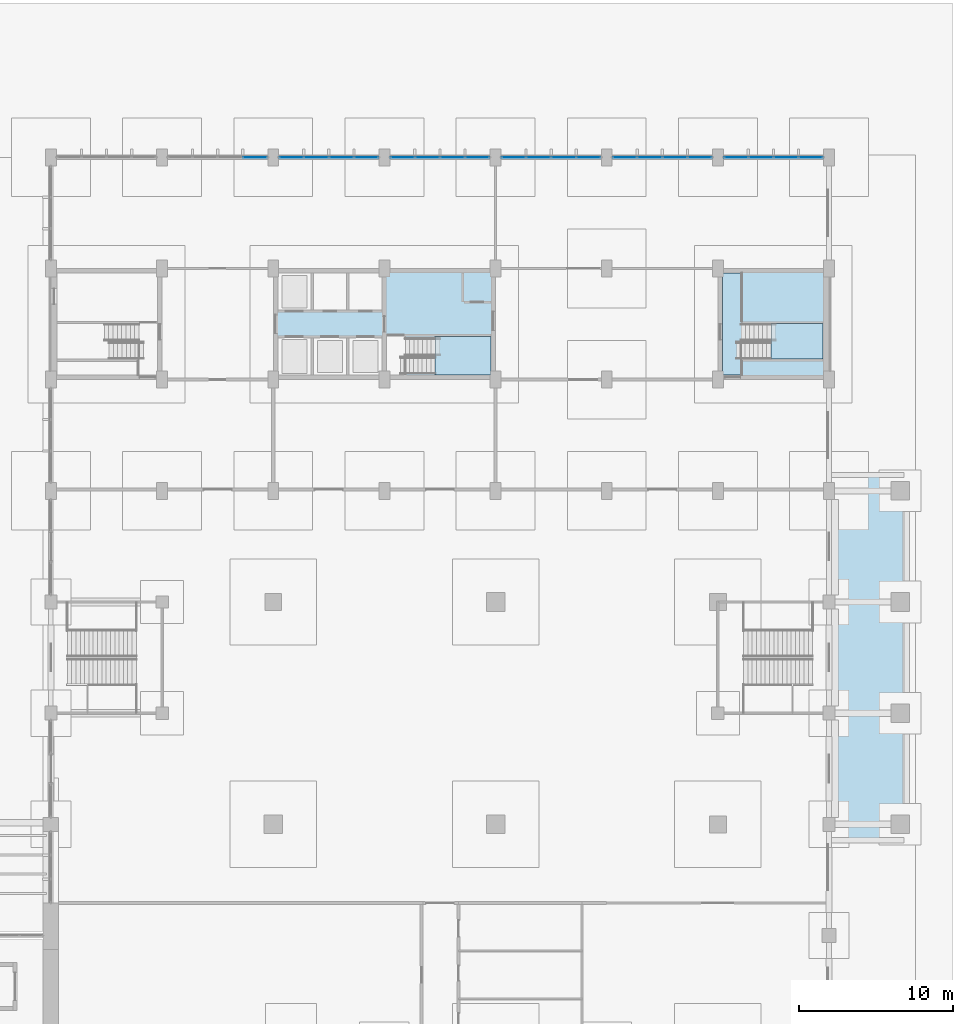
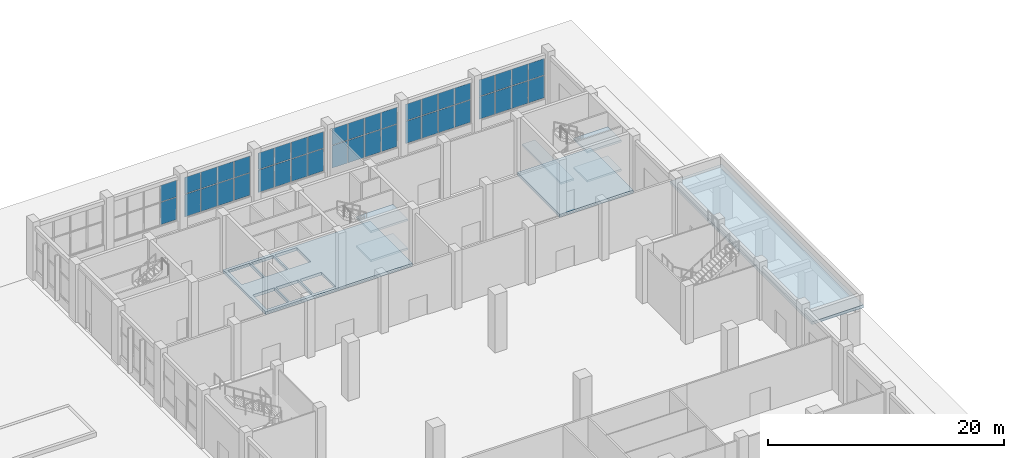
# One storey, part 37 of 70: 42 plates, 8 slabs, 8 elements without a shape of their own.
"""IFC4 building model written with IfcOpenShell, lengths in metres."""

import ifcopenshell
import ifcopenshell.guid

model = None  # the IFC model being written
_history = None  # IfcOwnerHistory: only IFC2X3 demands one
_inside = {}  # id of a spatial element -> (the spatial element, [elements in it])
_under = {}  # id of a project, library or spatial element -> (it, [spatial elements below it])
_declared = {}  # id of a project -> (the project, [libraries it declares])
_typed = {}  # id of a type object -> (the type object, [elements of that type])
_made_of = {}  # id of a material, layer set ... -> (it, [elements and type objects made of it])


def new_model(schema):
    """Start an empty IFC model of exactly this schema.

    Asked for "IFC4X3", IfcOpenShell would pick the latest addendum, in which some entities
    have other attributes; the version numbers below select the first issue.
    IFC2X3 requires an IfcOwnerHistory on every rooted entity: one is made here for all.
    """
    global model, _history
    if schema == "IFC4X3":
        model = ifcopenshell.file(schema_version=(4, 3, 0, 0))
    else:
        model = ifcopenshell.file(schema=schema)
    _inside.clear()
    _under.clear()
    _declared.clear()
    _typed.clear()
    _made_of.clear()
    _history = None
    if model.schema == "IFC2X3":
        org = make("IfcOrganization", Name="unknown")
        user = make(
            "IfcPersonAndOrganization",
            ThePerson=make("IfcPerson", FamilyName="unknown"),
            TheOrganization=org,
        )
        app = make(
            "IfcApplication",
            ApplicationDeveloper=org,
            Version="unknown",
            ApplicationFullName="unknown",
            ApplicationIdentifier="unknown",
        )
        _history = make(
            "IfcOwnerHistory",
            OwningUser=user,
            OwningApplication=app,
            ChangeAction="ADDED",
            CreationDate=0,
        )
    return model


def make(cls, **values):
    """One entity of the class cls with the attributes given. An attribute that is None is left unset."""
    return model.create_entity(
        cls, **{name: value for name, value in values.items() if value is not None}
    )


def rooted(cls, **values):
    """An entity with a GlobalId (a new one), such as an element, a storey or a relation."""
    return make(cls, GlobalId=ifcopenshell.guid.new(), OwnerHistory=_history, **values)


def si_unit(unit_type, name, prefix=None):
    """IfcSIUnit, for example si_unit("LENGTHUNIT", "METRE", prefix="MILLI")."""
    return make("IfcSIUnit", UnitType=unit_type, Prefix=prefix, Name=name)


def assignment(units):
    """IfcUnitAssignment: the units of a project."""
    return None if units is None else make("IfcUnitAssignment", Units=units)


def point(xyz):
    """IfcCartesianPoint."""
    return None if xyz is None else make("IfcCartesianPoint", Coordinates=xyz)


def direction(xyz):
    """IfcDirection."""
    return None if xyz is None else make("IfcDirection", DirectionRatios=xyz)


def frame(location, z_axis=None, x_axis=None):
    """IfcAxis2Placement3D, a coordinate frame: its origin and axes. An axis left out is left unset."""
    return make(
        "IfcAxis2Placement3D",
        Location=point(location),
        Axis=direction(z_axis),
        RefDirection=direction(x_axis),
    )


def frame_2d(location, x_axis=None):
    """IfcAxis2Placement2D, a coordinate frame in the plane: its origin and x axis."""
    return make(
        "IfcAxis2Placement2D", Location=point(location), RefDirection=direction(x_axis)
    )


def origin():
    """The frame at (0, 0, 0) with its axes left unset."""
    return frame((0.0, 0.0, 0.0))


def origin_2d():
    """The frame at (0, 0) in the plane with its x axis left unset."""
    return frame_2d((0.0, 0.0))


def place(relative_to, where):
    """IfcLocalPlacement: puts the frame where relative to a parent placement (None: the world)."""
    return make(
        "IfcLocalPlacement", PlacementRelTo=relative_to, RelativePlacement=where
    )


def context(
    kind, dimensions, precision=None, world=None, true_north=None, identifier=None
):
    """IfcGeometricRepresentationContext, for example the 3D "Model" context."""
    return make(
        "IfcGeometricRepresentationContext",
        ContextIdentifier=identifier,
        ContextType=kind,
        CoordinateSpaceDimension=dimensions,
        Precision=precision,
        WorldCoordinateSystem=world,
        TrueNorth=true_north,
    )


def subcontext(parent, identifier, kind, view, scale=None):
    """IfcGeometricRepresentationSubContext, for example "Body" below "Model"."""
    return make(
        "IfcGeometricRepresentationSubContext",
        ContextIdentifier=identifier,
        ContextType=kind,
        ParentContext=parent,
        TargetScale=scale,
        TargetView=view,
    )


def project(units=None, contexts=None):
    """IfcProject with its units and contexts."""
    return rooted(
        "IfcProject",
        Name="project",
        RepresentationContexts=contexts,
        UnitsInContext=assignment(units),
    )


def spatial(cls, under=None, at=None, **own):
    """A site, building, storey or space (cls), placed at a placement, below another one or the project."""
    s = rooted(cls, ObjectPlacement=at, **own)
    if under is not None:
        _under.setdefault(under.id(), (under, []))[1].append(s)
    return s


def polyline(points):
    """IfcPolyline through the points."""
    return make("IfcPolyline", Points=[point(p) for p in points])


def profile(cls, at=None, kind="AREA", **sizes):
    """A parametric profile (cls). Its sizes go by their IFC names, for example OverallWidth=200.0."""
    return make(cls, ProfileType=kind, Position=at, **sizes)


def rectangle(**sizes):
    """IfcRectangleProfileDef."""
    return profile("IfcRectangleProfileDef", **sizes)


def outline(outer, holes=None, kind="AREA"):
    """IfcArbitraryClosedProfileDef: a profile drawn as a closed curve; with holes, ...WithVoids."""
    if holes is None:
        return make("IfcArbitraryClosedProfileDef", ProfileType=kind, OuterCurve=outer)
    return make(
        "IfcArbitraryProfileDefWithVoids",
        ProfileType=kind,
        OuterCurve=outer,
        InnerCurves=holes,
    )


def extrude(swept, where, along, depth):
    """IfcExtrudedAreaSolid: the profile swept, set in the frame where, extruded along a direction by depth."""
    return make(
        "IfcExtrudedAreaSolid",
        SweptArea=swept,
        Position=where,
        ExtrudedDirection=direction(along),
        Depth=depth,
    )


def shape(context_of_items, identifier, shape_type, items):
    """IfcShapeRepresentation: the items that make up one representation, for example the "Body"."""
    return make(
        "IfcShapeRepresentation",
        ContextOfItems=context_of_items,
        RepresentationIdentifier=identifier,
        RepresentationType=shape_type,
        Items=items,
    )


def material(Name=None, Category=None):
    """IfcMaterial."""
    return make("IfcMaterial", Name=Name, Category=Category)


def layer(
    of_material, thickness, ventilated=None, Name=None, Category=None, Priority=None
):
    """IfcMaterialLayer: one layer of a wall or slab, of a material (None: an air gap)."""
    return make(
        "IfcMaterialLayer",
        Material=of_material,
        LayerThickness=thickness,
        IsVentilated=ventilated,
        Name=Name,
        Category=Category,
        Priority=Priority,
    )


def layer_set(layers, Name=None):
    """IfcMaterialLayerSet."""
    return make("IfcMaterialLayerSet", MaterialLayers=layers, LayerSetName=Name)


def made_of(thing, what):
    """Note that an element or type object is made of a material, layer set ...; save() writes the relation."""
    if what is not None:
        _made_of.setdefault(what.id(), (what, []))[1].append(thing)
    return thing


def type_object(cls, material=None, **own):
    """A type object (cls), such as IfcWallType, which elements share."""
    return made_of(rooted(cls, **own), material)


def element(
    cls,
    number,
    at=None,
    inside=None,
    cuts=None,
    type_object=None,
    material=None,
    context=None,
    identifier="Body",
    shape_type=None,
    held_by="IfcProductDefinitionShape",
    body=None,
    shapes=None,
    **own,
):
    """One element of the class cls, such as IfcWall. Its Tag is "e" and its number.

    at: its placement. inside: the storey or other place that contains it. cuts: it is an
    opening in that element (IfcRelVoidsElement). A single representation is given by context,
    identifier, shape_type and body (its items); several are given by shapes. held_by: the class
    of the entity that holds the representations. save() writes the other relations.
    """
    e = rooted(cls, Tag="e%d" % number, ObjectPlacement=at, **own)
    if body is not None:
        shapes = [shape(context, identifier, shape_type, body)]
    if shapes is not None:
        e.Representation = make(held_by, Representations=shapes)
    if inside is not None:
        _inside.setdefault(inside.id(), (inside, []))[1].append(e)
    if cuts is not None:
        rooted(
            "IfcRelVoidsElement", RelatingBuildingElement=cuts, RelatedOpeningElement=e
        )
    if type_object is not None:
        _typed.setdefault(type_object.id(), (type_object, []))[1].append(e)
    return made_of(e, material)


def aggregate(whole, parts):
    """IfcRelAggregates: a whole, such as a stair, and the parts it consists of."""
    return rooted("IfcRelAggregates", RelatingObject=whole, RelatedObjects=parts)


def save(model, path):
    """Write the relations noted so far, then the file.

    IfcRelAggregates (storeys below a building ...), IfcRelContainedInSpatialStructure (elements
    in a storey), IfcRelDefinesByType, IfcRelAssociatesMaterial and IfcRelDeclares: one each for
    every whole, place, type object, material and project.
    """
    for whole, parts in _under.values():
        aggregate(whole, parts)
    for where, things in _inside.values():
        rooted(
            "IfcRelContainedInSpatialStructure",
            RelatedElements=things,
            RelatingStructure=where,
        )
    for kind, things in _typed.values():
        rooted("IfcRelDefinesByType", RelatedObjects=things, RelatingType=kind)
    for what, things in _made_of.values():
        rooted("IfcRelAssociatesMaterial", RelatedObjects=things, RelatingMaterial=what)
    for by, libraries in _declared.values():
        rooted("IfcRelDeclares", RelatingContext=by, RelatedDefinitions=libraries)
    model.write(path)


model = new_model("IFC4")

# Units and contexts
model_context = context("Model", 3, precision=1e-05, world=origin(), true_north=direction((0.0, 1.0)))
body_context = subcontext(model_context, "Body", "Model", "MODEL_VIEW")
ifc_project = project(units=[si_unit("LENGTHUNIT", "METRE"), si_unit("AREAUNIT", "SQUARE_METRE"), si_unit("VOLUMEUNIT", "CUBIC_METRE"), si_unit("PLANEANGLEUNIT", "RADIAN"), si_unit("MASSUNIT", "GRAM", prefix="KILO")], contexts=[model_context])

# Site, building, storey
site_placement = place(None, origin())
site = spatial("IfcSite", under=ifc_project, at=site_placement, CompositionType="ELEMENT")
building_placement = place(site_placement, origin())
building = spatial("IfcBuilding", under=site, at=building_placement, Name="Vermilion Court Aquatics Centre", CompositionType="ELEMENT")
storey_placement = place(building_placement, origin())
storey = spatial("IfcBuildingStorey", under=building, at=storey_placement, Name="L00", CompositionType="ELEMENT", Elevation=0.0)

# Slabs
ifc_material_1 = material(Name="Concrete 5000 psi", Category="concrete")
ifc_layer_1 = layer(ifc_material_1, 0.300048828125)
ifc_layer_set_1 = layer_set([ifc_layer_1], Name="North block ground slab 300")
slab_type_1 = type_object("IfcSlabType", Name="North block ground slab 300", PredefinedType="BASESLAB", material=ifc_layer_set_1)
slab_1_placement = place(storey_placement, frame((0.0, 0.0, -0.300048828125)))
element("IfcSlab", 1, at=slab_1_placement, inside=storey, type_object=slab_type_1, Name="Core floor L00", PredefinedType="BASESLAB", context=body_context, shape_type="SweptSolid", body=[
    extrude(outline(polyline([(158.39990234375, 100.800048828125), (172.800048828125, 100.800048828125), (172.800048828125, 108.0), (158.39990234375, 108.0), (158.39990234375, 100.800048828125)]), holes=[polyline([(158.699951171875, 101.10009765625), (160.85009765625, 101.10009765625), (160.85009765625, 103.5), (158.699951171875, 103.5), (158.699951171875, 101.10009765625)]), polyline([(158.699951171875, 105.300048828125), (160.85009765625, 105.300048828125), (160.85009765625, 107.699951171875), (158.699951171875, 107.699951171875), (158.699951171875, 105.300048828125)]), polyline([(161.0, 101.10009765625), (163.14990234375, 101.10009765625), (163.14990234375, 103.5), (161.0, 103.5), (161.0, 101.10009765625)]), polyline([(161.0, 105.300048828125), (163.14990234375, 105.300048828125), (163.14990234375, 107.699951171875), (161.0, 107.699951171875), (161.0, 105.300048828125)]), polyline([(163.300048828125, 101.10009765625), (165.449951171875, 101.10009765625), (165.449951171875, 103.5), (163.300048828125, 103.5), (163.300048828125, 101.10009765625)]), polyline([(163.300048828125, 105.300048828125), (165.449951171875, 105.300048828125), (165.449951171875, 107.699951171875), (163.300048828125, 107.699951171875), (163.300048828125, 105.300048828125)])]), origin(), (0.0, 0.0, 1.0), 0.300048828125),
])
slab_2_placement = place(storey_placement, frame((0.0, 0.0, -0.300048828125)))
element("IfcSlab", 2, at=slab_2_placement, inside=storey, type_object=slab_type_1, Name="Stair 2 floor L00", PredefinedType="BASESLAB", context=body_context, shape_type="SweptSolid", body=[
    extrude(outline(polyline([(187.199951171875, 100.800048828125), (194.39990234375, 100.800048828125), (194.39990234375, 108.0), (187.199951171875, 108.0), (187.199951171875, 100.800048828125)])), origin(), (0.0, 0.0, 1.0), 0.300048828125),
])

# Stair, slabs
ifc_material_2 = material(Name="Concrete 5000 psi", Category="concrete")
stair_type = type_object("IfcStairType", Name="North block exit stair 1130", PredefinedType="HALF_TURN_STAIR", material=ifc_material_2)
stair_1_placement = place(storey_placement, origin())
stair_1 = element("IfcStair", 3, at=stair_1_placement, inside=storey, type_object=stair_type, Name="Exit stair ST-T2 L00", PredefinedType="HALF_TURN_STAIR")
ifc_material_3 = material(Name="Concrete 5000 psi", Category="concrete")
ifc_layer_2 = layer(ifc_material_3, 0.199951171875)
ifc_layer_set_2 = layer_set([ifc_layer_2], Name="North block stair landing 200")
slab_type_2 = type_object("IfcSlabType", Name="North block stair landing 200", PredefinedType="LANDING", material=ifc_layer_set_2)
slab_3_placement = place(storey_placement, frame((0.0, 0.0, 1.300048828125)))
slab_3 = element("IfcSlab", 4, at=slab_3_placement, type_object=slab_type_2, Name="ST-T2 landing 1", PredefinedType="LANDING", context=body_context, shape_type="SweptSolid", body=[
    extrude(outline(polyline([(190.639892578125, 102.1298828125), (194.0, 102.1298828125), (194.0, 104.429931640625), (190.639892578125, 104.429931640625), (190.639892578125, 102.1298828125)])), origin(), (0.0, 0.0, 1.0), 0.199951171875),
])
slab_4_placement = place(storey_placement, frame((0.0, 0.0, 2.800048828125)))
slab_4 = element("IfcSlab", 5, at=slab_4_placement, type_object=slab_type_2, Name="ST-T2 landing 2", PredefinedType="LANDING", context=body_context, shape_type="SweptSolid", body=[
    extrude(outline(polyline([(187.5, 101.10009765625), (188.75, 101.10009765625), (188.75, 107.699951171875), (187.5, 107.699951171875), (187.5, 101.10009765625)])), origin(), (0.0, 0.0, 1.0), 0.199951171875),
])
slab_5_placement = place(storey_placement, frame((0.0, 0.0, 4.300048828125)))
slab_5 = element("IfcSlab", 6, at=slab_5_placement, type_object=slab_type_2, Name="ST-T2 landing 3", PredefinedType="LANDING", context=body_context, shape_type="SweptSolid", body=[
    extrude(outline(polyline([(190.639892578125, 102.1298828125), (194.0, 102.1298828125), (194.0, 104.429931640625), (190.639892578125, 104.429931640625), (190.639892578125, 102.1298828125)])), origin(), (0.0, 0.0, 1.0), 0.199951171875),
])
aggregate(stair_1, [slab_3, slab_4, slab_5])

stair_2_placement = place(storey_placement, origin())
stair_2 = element("IfcStair", 7, at=stair_2_placement, inside=storey, type_object=stair_type, Name="Exit stair ST-T3 L00", PredefinedType="HALF_TURN_STAIR")
slab_6_placement = place(storey_placement, frame((0.0, 0.0, 1.300048828125)))
slab_6 = element("IfcSlab", 8, at=slab_6_placement, type_object=slab_type_2, Name="ST-T3 landing 1", PredefinedType="LANDING", context=body_context, shape_type="SweptSolid", body=[
    extrude(outline(polyline([(168.889892578125, 101.10009765625), (172.5, 101.10009765625), (172.5, 103.60009765625), (168.889892578125, 103.60009765625), (168.889892578125, 101.10009765625)])), origin(), (0.0, 0.0, 1.0), 0.199951171875),
])
slab_7_placement = place(storey_placement, frame((0.0, 0.0, 4.300048828125)))
slab_7 = element("IfcSlab", 9, at=slab_7_placement, type_object=slab_type_2, Name="ST-T3 landing 3", PredefinedType="LANDING", context=body_context, shape_type="SweptSolid", body=[
    extrude(outline(polyline([(168.889892578125, 101.10009765625), (172.5, 101.10009765625), (172.5, 103.60009765625), (168.889892578125, 103.60009765625), (168.889892578125, 101.10009765625)])), origin(), (0.0, 0.0, 1.0), 0.199951171875),
])
aggregate(stair_2, [slab_6, slab_7])

# Curtain wall, plates
ifc_material_4 = material(Name="Aluminium 6063-T5", Category="aluminium")
ifc_layer_3 = layer(ifc_material_4, 0.14990234375)
ifc_layer_set_3 = layer_set([ifc_layer_3], Name="Podium curtain wall bay, 1800 module")
curtain_wall_type = type_object("IfcCurtainWallType", Name="Podium curtain wall bay, 1800 module", PredefinedType="NOTDEFINED", material=ifc_layer_set_3)
curtain_wall_1_placement = place(storey_placement, origin())
curtain_wall_1 = element("IfcCurtainWall", 10, at=curtain_wall_1_placement, inside=storey, type_object=curtain_wall_type, Name="Curtain wall L00", PredefinedType="NOTDEFINED")
ifc_material_5 = material(Name="Glazing", Category="glass")
ifc_layer_4 = layer(ifc_material_5, 0.028076171875)
ifc_layer_set_4 = layer_set([ifc_layer_4], Name="Podium curtain wall glass panel 28")
plate_type = type_object("IfcPlateType", Name="Podium curtain wall glass panel 28", PredefinedType="CURTAIN_PANEL", material=ifc_layer_set_4)
plate_1_placement = place(storey_placement, frame((157.222412109375, 115.199951171875, 0.9599609375), z_axis=(0.0, 0.0, 1.0), x_axis=(1.0, 0.0, 0.0)))
plate_1 = element("IfcPlate", 11, at=plate_1_placement, type_object=plate_type, Name="PG2 panel 4.1", PredefinedType="CURTAIN_PANEL", context=body_context, shape_type="SweptSolid", body=[
    extrude(rectangle(XDim=1.534912109375, YDim=0.028076171875, at=origin_2d()), origin(), (0.0, 0.0, 1.0), 2.31005859375),
])
plate_2_placement = place(storey_placement, frame((157.222412109375, 115.199951171875, 3.330078125), z_axis=(0.0, 0.0, 1.0), x_axis=(1.0, 0.0, 0.0)))
plate_2 = element("IfcPlate", 12, at=plate_2_placement, type_object=plate_type, Name="PG2 panel 4.2", PredefinedType="CURTAIN_PANEL", context=body_context, shape_type="SweptSolid", body=[
    extrude(rectangle(XDim=1.534912109375, YDim=0.028076171875, at=origin_2d()), origin(), (0.0, 0.0, 1.0), 1.7099609375),
])
aggregate(curtain_wall_1, [plate_1, plate_2])

curtain_wall_2_placement = place(storey_placement, origin())
curtain_wall_2 = element("IfcCurtainWall", 13, at=curtain_wall_2_placement, inside=storey, type_object=curtain_wall_type, Name="Curtain wall L00", PredefinedType="NOTDEFINED")
plate_3_placement = place(storey_placement, frame((159.577392578125, 115.199951171875, 0.9599609375), z_axis=(0.0, 0.0, 1.0), x_axis=(1.0, 0.0, 0.0)))
plate_3 = element("IfcPlate", 14, at=plate_3_placement, type_object=plate_type, Name="PG2 panel 1.1", PredefinedType="CURTAIN_PANEL", context=body_context, shape_type="SweptSolid", body=[
    extrude(rectangle(XDim=1.534912109375, YDim=0.028076171875, at=origin_2d()), origin(), (0.0, 0.0, 1.0), 2.31005859375),
])
plate_4_placement = place(storey_placement, frame((159.577392578125, 115.199951171875, 3.330078125), z_axis=(0.0, 0.0, 1.0), x_axis=(1.0, 0.0, 0.0)))
plate_4 = element("IfcPlate", 15, at=plate_4_placement, type_object=plate_type, Name="PG2 panel 1.2", PredefinedType="CURTAIN_PANEL", context=body_context, shape_type="SweptSolid", body=[
    extrude(rectangle(XDim=1.534912109375, YDim=0.028076171875, at=origin_2d()), origin(), (0.0, 0.0, 1.0), 1.7099609375),
])
plate_5_placement = place(storey_placement, frame((161.1875, 115.199951171875, 0.9599609375), z_axis=(0.0, 0.0, 1.0), x_axis=(1.0, 0.0, 0.0)))
plate_5 = element("IfcPlate", 16, at=plate_5_placement, type_object=plate_type, Name="PG2 panel 2.1", PredefinedType="CURTAIN_PANEL", context=body_context, shape_type="SweptSolid", body=[
    extrude(rectangle(XDim=1.56494140625, YDim=0.028076171875, at=origin_2d()), origin(), (0.0, 0.0, 1.0), 2.31005859375),
])
plate_6_placement = place(storey_placement, frame((161.1875, 115.199951171875, 3.330078125), z_axis=(0.0, 0.0, 1.0), x_axis=(1.0, 0.0, 0.0)))
plate_6 = element("IfcPlate", 17, at=plate_6_placement, type_object=plate_type, Name="PG2 panel 2.2", PredefinedType="CURTAIN_PANEL", context=body_context, shape_type="SweptSolid", body=[
    extrude(rectangle(XDim=1.56494140625, YDim=0.028076171875, at=origin_2d()), origin(), (0.0, 0.0, 1.0), 1.7099609375),
])
plate_7_placement = place(storey_placement, frame((162.8125, 115.199951171875, 0.9599609375), z_axis=(0.0, 0.0, 1.0), x_axis=(1.0, 0.0, 0.0)))
plate_7 = element("IfcPlate", 18, at=plate_7_placement, type_object=plate_type, Name="PG2 panel 3.1", PredefinedType="CURTAIN_PANEL", context=body_context, shape_type="SweptSolid", body=[
    extrude(rectangle(XDim=1.56494140625, YDim=0.028076171875, at=origin_2d()), origin(), (0.0, 0.0, 1.0), 2.31005859375),
])
plate_8_placement = place(storey_placement, frame((162.8125, 115.199951171875, 3.330078125), z_axis=(0.0, 0.0, 1.0), x_axis=(1.0, 0.0, 0.0)))
plate_8 = element("IfcPlate", 19, at=plate_8_placement, type_object=plate_type, Name="PG2 panel 3.2", PredefinedType="CURTAIN_PANEL", context=body_context, shape_type="SweptSolid", body=[
    extrude(rectangle(XDim=1.56494140625, YDim=0.028076171875, at=origin_2d()), origin(), (0.0, 0.0, 1.0), 1.7099609375),
])
plate_9_placement = place(storey_placement, frame((164.422607421875, 115.199951171875, 0.9599609375), z_axis=(0.0, 0.0, 1.0), x_axis=(1.0, 0.0, 0.0)))
plate_9 = element("IfcPlate", 20, at=plate_9_placement, type_object=plate_type, Name="PG2 panel 4.1", PredefinedType="CURTAIN_PANEL", context=body_context, shape_type="SweptSolid", body=[
    extrude(rectangle(XDim=1.534912109375, YDim=0.028076171875, at=origin_2d()), origin(), (0.0, 0.0, 1.0), 2.31005859375),
])
plate_10_placement = place(storey_placement, frame((164.422607421875, 115.199951171875, 3.330078125), z_axis=(0.0, 0.0, 1.0), x_axis=(1.0, 0.0, 0.0)))
plate_10 = element("IfcPlate", 21, at=plate_10_placement, type_object=plate_type, Name="PG2 panel 4.2", PredefinedType="CURTAIN_PANEL", context=body_context, shape_type="SweptSolid", body=[
    extrude(rectangle(XDim=1.534912109375, YDim=0.028076171875, at=origin_2d()), origin(), (0.0, 0.0, 1.0), 1.7099609375),
])
aggregate(curtain_wall_2, [plate_3, plate_4, plate_5, plate_6, plate_7, plate_8, plate_9, plate_10])

curtain_wall_3_placement = place(storey_placement, origin())
curtain_wall_3 = element("IfcCurtainWall", 22, at=curtain_wall_3_placement, inside=storey, type_object=curtain_wall_type, Name="Curtain wall L00", PredefinedType="NOTDEFINED")
plate_11_placement = place(storey_placement, frame((166.777587890625, 115.199951171875, 0.9599609375), z_axis=(0.0, 0.0, 1.0), x_axis=(1.0, 0.0, 0.0)))
plate_11 = element("IfcPlate", 23, at=plate_11_placement, type_object=plate_type, Name="PG2 panel 1.1", PredefinedType="CURTAIN_PANEL", context=body_context, shape_type="SweptSolid", body=[
    extrude(rectangle(XDim=1.534912109375, YDim=0.028076171875, at=origin_2d()), origin(), (0.0, 0.0, 1.0), 2.31005859375),
])
plate_12_placement = place(storey_placement, frame((166.777587890625, 115.199951171875, 3.330078125), z_axis=(0.0, 0.0, 1.0), x_axis=(1.0, 0.0, 0.0)))
plate_12 = element("IfcPlate", 24, at=plate_12_placement, type_object=plate_type, Name="PG2 panel 1.2", PredefinedType="CURTAIN_PANEL", context=body_context, shape_type="SweptSolid", body=[
    extrude(rectangle(XDim=1.534912109375, YDim=0.028076171875, at=origin_2d()), origin(), (0.0, 0.0, 1.0), 1.7099609375),
])
plate_13_placement = place(storey_placement, frame((168.387451171875, 115.199951171875, 0.9599609375), z_axis=(0.0, 0.0, 1.0), x_axis=(1.0, 0.0, 0.0)))
plate_13 = element("IfcPlate", 25, at=plate_13_placement, type_object=plate_type, Name="PG2 panel 2.1", PredefinedType="CURTAIN_PANEL", context=body_context, shape_type="SweptSolid", body=[
    extrude(rectangle(XDim=1.56494140625, YDim=0.028076171875, at=origin_2d()), origin(), (0.0, 0.0, 1.0), 2.31005859375),
])
plate_14_placement = place(storey_placement, frame((168.387451171875, 115.199951171875, 3.330078125), z_axis=(0.0, 0.0, 1.0), x_axis=(1.0, 0.0, 0.0)))
plate_14 = element("IfcPlate", 26, at=plate_14_placement, type_object=plate_type, Name="PG2 panel 2.2", PredefinedType="CURTAIN_PANEL", context=body_context, shape_type="SweptSolid", body=[
    extrude(rectangle(XDim=1.56494140625, YDim=0.028076171875, at=origin_2d()), origin(), (0.0, 0.0, 1.0), 1.7099609375),
])
plate_15_placement = place(storey_placement, frame((170.012451171875, 115.199951171875, 0.9599609375), z_axis=(0.0, 0.0, 1.0), x_axis=(1.0, 0.0, 0.0)))
plate_15 = element("IfcPlate", 27, at=plate_15_placement, type_object=plate_type, Name="PG2 panel 3.1", PredefinedType="CURTAIN_PANEL", context=body_context, shape_type="SweptSolid", body=[
    extrude(rectangle(XDim=1.56494140625, YDim=0.028076171875, at=origin_2d()), origin(), (0.0, 0.0, 1.0), 2.31005859375),
])
plate_16_placement = place(storey_placement, frame((170.012451171875, 115.199951171875, 3.330078125), z_axis=(0.0, 0.0, 1.0), x_axis=(1.0, 0.0, 0.0)))
plate_16 = element("IfcPlate", 28, at=plate_16_placement, type_object=plate_type, Name="PG2 panel 3.2", PredefinedType="CURTAIN_PANEL", context=body_context, shape_type="SweptSolid", body=[
    extrude(rectangle(XDim=1.56494140625, YDim=0.028076171875, at=origin_2d()), origin(), (0.0, 0.0, 1.0), 1.7099609375),
])
plate_17_placement = place(storey_placement, frame((171.62255859375, 115.199951171875, 0.9599609375), z_axis=(0.0, 0.0, 1.0), x_axis=(1.0, 0.0, 0.0)))
plate_17 = element("IfcPlate", 29, at=plate_17_placement, type_object=plate_type, Name="PG2 panel 4.1", PredefinedType="CURTAIN_PANEL", context=body_context, shape_type="SweptSolid", body=[
    extrude(rectangle(XDim=1.534912109375, YDim=0.028076171875, at=origin_2d()), origin(), (0.0, 0.0, 1.0), 2.31005859375),
])
plate_18_placement = place(storey_placement, frame((171.62255859375, 115.199951171875, 3.330078125), z_axis=(0.0, 0.0, 1.0), x_axis=(1.0, 0.0, 0.0)))
plate_18 = element("IfcPlate", 30, at=plate_18_placement, type_object=plate_type, Name="PG2 panel 4.2", PredefinedType="CURTAIN_PANEL", context=body_context, shape_type="SweptSolid", body=[
    extrude(rectangle(XDim=1.534912109375, YDim=0.028076171875, at=origin_2d()), origin(), (0.0, 0.0, 1.0), 1.7099609375),
])
aggregate(curtain_wall_3, [plate_11, plate_12, plate_13, plate_14, plate_15, plate_16, plate_17, plate_18])

curtain_wall_4_placement = place(storey_placement, origin())
curtain_wall_4 = element("IfcCurtainWall", 31, at=curtain_wall_4_placement, inside=storey, type_object=curtain_wall_type, Name="Curtain wall L00", PredefinedType="NOTDEFINED")
plate_19_placement = place(storey_placement, frame((173.9775390625, 115.199951171875, 0.9599609375), z_axis=(0.0, 0.0, 1.0), x_axis=(1.0, 0.0, 0.0)))
plate_19 = element("IfcPlate", 32, at=plate_19_placement, type_object=plate_type, Name="PG2 panel 1.1", PredefinedType="CURTAIN_PANEL", context=body_context, shape_type="SweptSolid", body=[
    extrude(rectangle(XDim=1.534912109375, YDim=0.028076171875, at=origin_2d()), origin(), (0.0, 0.0, 1.0), 2.31005859375),
])
plate_20_placement = place(storey_placement, frame((173.9775390625, 115.199951171875, 3.330078125), z_axis=(0.0, 0.0, 1.0), x_axis=(1.0, 0.0, 0.0)))
plate_20 = element("IfcPlate", 33, at=plate_20_placement, type_object=plate_type, Name="PG2 panel 1.2", PredefinedType="CURTAIN_PANEL", context=body_context, shape_type="SweptSolid", body=[
    extrude(rectangle(XDim=1.534912109375, YDim=0.028076171875, at=origin_2d()), origin(), (0.0, 0.0, 1.0), 1.7099609375),
])
plate_21_placement = place(storey_placement, frame((175.58740234375, 115.199951171875, 0.9599609375), z_axis=(0.0, 0.0, 1.0), x_axis=(1.0, 0.0, 0.0)))
plate_21 = element("IfcPlate", 34, at=plate_21_placement, type_object=plate_type, Name="PG2 panel 2.1", PredefinedType="CURTAIN_PANEL", context=body_context, shape_type="SweptSolid", body=[
    extrude(rectangle(XDim=1.56494140625, YDim=0.028076171875, at=origin_2d()), origin(), (0.0, 0.0, 1.0), 2.31005859375),
])
plate_22_placement = place(storey_placement, frame((175.58740234375, 115.199951171875, 3.330078125), z_axis=(0.0, 0.0, 1.0), x_axis=(1.0, 0.0, 0.0)))
plate_22 = element("IfcPlate", 35, at=plate_22_placement, type_object=plate_type, Name="PG2 panel 2.2", PredefinedType="CURTAIN_PANEL", context=body_context, shape_type="SweptSolid", body=[
    extrude(rectangle(XDim=1.56494140625, YDim=0.028076171875, at=origin_2d()), origin(), (0.0, 0.0, 1.0), 1.7099609375),
])
plate_23_placement = place(storey_placement, frame((177.21240234375, 115.199951171875, 0.9599609375), z_axis=(0.0, 0.0, 1.0), x_axis=(1.0, 0.0, 0.0)))
plate_23 = element("IfcPlate", 36, at=plate_23_placement, type_object=plate_type, Name="PG2 panel 3.1", PredefinedType="CURTAIN_PANEL", context=body_context, shape_type="SweptSolid", body=[
    extrude(rectangle(XDim=1.56494140625, YDim=0.028076171875, at=origin_2d()), origin(), (0.0, 0.0, 1.0), 2.31005859375),
])
plate_24_placement = place(storey_placement, frame((177.21240234375, 115.199951171875, 3.330078125), z_axis=(0.0, 0.0, 1.0), x_axis=(1.0, 0.0, 0.0)))
plate_24 = element("IfcPlate", 37, at=plate_24_placement, type_object=plate_type, Name="PG2 panel 3.2", PredefinedType="CURTAIN_PANEL", context=body_context, shape_type="SweptSolid", body=[
    extrude(rectangle(XDim=1.56494140625, YDim=0.028076171875, at=origin_2d()), origin(), (0.0, 0.0, 1.0), 1.7099609375),
])
plate_25_placement = place(storey_placement, frame((178.822509765625, 115.199951171875, 0.9599609375), z_axis=(0.0, 0.0, 1.0), x_axis=(1.0, 0.0, 0.0)))
plate_25 = element("IfcPlate", 38, at=plate_25_placement, type_object=plate_type, Name="PG2 panel 4.1", PredefinedType="CURTAIN_PANEL", context=body_context, shape_type="SweptSolid", body=[
    extrude(rectangle(XDim=1.534912109375, YDim=0.028076171875, at=origin_2d()), origin(), (0.0, 0.0, 1.0), 2.31005859375),
])
plate_26_placement = place(storey_placement, frame((178.822509765625, 115.199951171875, 3.330078125), z_axis=(0.0, 0.0, 1.0), x_axis=(1.0, 0.0, 0.0)))
plate_26 = element("IfcPlate", 39, at=plate_26_placement, type_object=plate_type, Name="PG2 panel 4.2", PredefinedType="CURTAIN_PANEL", context=body_context, shape_type="SweptSolid", body=[
    extrude(rectangle(XDim=1.534912109375, YDim=0.028076171875, at=origin_2d()), origin(), (0.0, 0.0, 1.0), 1.7099609375),
])
aggregate(curtain_wall_4, [plate_19, plate_20, plate_21, plate_22, plate_23, plate_24, plate_25, plate_26])

curtain_wall_5_placement = place(storey_placement, origin())
curtain_wall_5 = element("IfcCurtainWall", 40, at=curtain_wall_5_placement, inside=storey, type_object=curtain_wall_type, Name="Curtain wall L00", PredefinedType="NOTDEFINED")
plate_27_placement = place(storey_placement, frame((181.177490234375, 115.199951171875, 0.9599609375), z_axis=(0.0, 0.0, 1.0), x_axis=(1.0, 0.0, 0.0)))
plate_27 = element("IfcPlate", 41, at=plate_27_placement, type_object=plate_type, Name="PG2 panel 1.1", PredefinedType="CURTAIN_PANEL", context=body_context, shape_type="SweptSolid", body=[
    extrude(rectangle(XDim=1.534912109375, YDim=0.028076171875, at=origin_2d()), origin(), (0.0, 0.0, 1.0), 2.31005859375),
])
plate_28_placement = place(storey_placement, frame((181.177490234375, 115.199951171875, 3.330078125), z_axis=(0.0, 0.0, 1.0), x_axis=(1.0, 0.0, 0.0)))
plate_28 = element("IfcPlate", 42, at=plate_28_placement, type_object=plate_type, Name="PG2 panel 1.2", PredefinedType="CURTAIN_PANEL", context=body_context, shape_type="SweptSolid", body=[
    extrude(rectangle(XDim=1.534912109375, YDim=0.028076171875, at=origin_2d()), origin(), (0.0, 0.0, 1.0), 1.7099609375),
])
plate_29_placement = place(storey_placement, frame((182.78759765625, 115.199951171875, 0.9599609375), z_axis=(0.0, 0.0, 1.0), x_axis=(1.0, 0.0, 0.0)))
plate_29 = element("IfcPlate", 43, at=plate_29_placement, type_object=plate_type, Name="PG2 panel 2.1", PredefinedType="CURTAIN_PANEL", context=body_context, shape_type="SweptSolid", body=[
    extrude(rectangle(XDim=1.56494140625, YDim=0.028076171875, at=origin_2d()), origin(), (0.0, 0.0, 1.0), 2.31005859375),
])
plate_30_placement = place(storey_placement, frame((182.78759765625, 115.199951171875, 3.330078125), z_axis=(0.0, 0.0, 1.0), x_axis=(1.0, 0.0, 0.0)))
plate_30 = element("IfcPlate", 44, at=plate_30_placement, type_object=plate_type, Name="PG2 panel 2.2", PredefinedType="CURTAIN_PANEL", context=body_context, shape_type="SweptSolid", body=[
    extrude(rectangle(XDim=1.56494140625, YDim=0.028076171875, at=origin_2d()), origin(), (0.0, 0.0, 1.0), 1.7099609375),
])
plate_31_placement = place(storey_placement, frame((184.41259765625, 115.199951171875, 0.9599609375), z_axis=(0.0, 0.0, 1.0), x_axis=(1.0, 0.0, 0.0)))
plate_31 = element("IfcPlate", 45, at=plate_31_placement, type_object=plate_type, Name="PG2 panel 3.1", PredefinedType="CURTAIN_PANEL", context=body_context, shape_type="SweptSolid", body=[
    extrude(rectangle(XDim=1.56494140625, YDim=0.028076171875, at=origin_2d()), origin(), (0.0, 0.0, 1.0), 2.31005859375),
])
plate_32_placement = place(storey_placement, frame((184.41259765625, 115.199951171875, 3.330078125), z_axis=(0.0, 0.0, 1.0), x_axis=(1.0, 0.0, 0.0)))
plate_32 = element("IfcPlate", 46, at=plate_32_placement, type_object=plate_type, Name="PG2 panel 3.2", PredefinedType="CURTAIN_PANEL", context=body_context, shape_type="SweptSolid", body=[
    extrude(rectangle(XDim=1.56494140625, YDim=0.028076171875, at=origin_2d()), origin(), (0.0, 0.0, 1.0), 1.7099609375),
])
plate_33_placement = place(storey_placement, frame((186.0224609375, 115.199951171875, 0.9599609375), z_axis=(0.0, 0.0, 1.0), x_axis=(1.0, 0.0, 0.0)))
plate_33 = element("IfcPlate", 47, at=plate_33_placement, type_object=plate_type, Name="PG2 panel 4.1", PredefinedType="CURTAIN_PANEL", context=body_context, shape_type="SweptSolid", body=[
    extrude(rectangle(XDim=1.534912109375, YDim=0.028076171875, at=origin_2d()), origin(), (0.0, 0.0, 1.0), 2.31005859375),
])
plate_34_placement = place(storey_placement, frame((186.0224609375, 115.199951171875, 3.330078125), z_axis=(0.0, 0.0, 1.0), x_axis=(1.0, 0.0, 0.0)))
plate_34 = element("IfcPlate", 48, at=plate_34_placement, type_object=plate_type, Name="PG2 panel 4.2", PredefinedType="CURTAIN_PANEL", context=body_context, shape_type="SweptSolid", body=[
    extrude(rectangle(XDim=1.534912109375, YDim=0.028076171875, at=origin_2d()), origin(), (0.0, 0.0, 1.0), 1.7099609375),
])
aggregate(curtain_wall_5, [plate_27, plate_28, plate_29, plate_30, plate_31, plate_32, plate_33, plate_34])

curtain_wall_6_placement = place(storey_placement, origin())
curtain_wall_6 = element("IfcCurtainWall", 49, at=curtain_wall_6_placement, inside=storey, type_object=curtain_wall_type, Name="Curtain wall L00", PredefinedType="NOTDEFINED")
plate_35_placement = place(storey_placement, frame((188.37744140625, 115.199951171875, 0.9599609375), z_axis=(0.0, 0.0, 1.0), x_axis=(1.0, 0.0, 0.0)))
plate_35 = element("IfcPlate", 50, at=plate_35_placement, type_object=plate_type, Name="PG2 panel 1.1", PredefinedType="CURTAIN_PANEL", context=body_context, shape_type="SweptSolid", body=[
    extrude(rectangle(XDim=1.534912109375, YDim=0.028076171875, at=origin_2d()), origin(), (0.0, 0.0, 1.0), 2.31005859375),
])
plate_36_placement = place(storey_placement, frame((188.37744140625, 115.199951171875, 3.330078125), z_axis=(0.0, 0.0, 1.0), x_axis=(1.0, 0.0, 0.0)))
plate_36 = element("IfcPlate", 51, at=plate_36_placement, type_object=plate_type, Name="PG2 panel 1.2", PredefinedType="CURTAIN_PANEL", context=body_context, shape_type="SweptSolid", body=[
    extrude(rectangle(XDim=1.534912109375, YDim=0.028076171875, at=origin_2d()), origin(), (0.0, 0.0, 1.0), 1.7099609375),
])
plate_37_placement = place(storey_placement, frame((189.987548828125, 115.199951171875, 0.9599609375), z_axis=(0.0, 0.0, 1.0), x_axis=(1.0, 0.0, 0.0)))
plate_37 = element("IfcPlate", 52, at=plate_37_placement, type_object=plate_type, Name="PG2 panel 2.1", PredefinedType="CURTAIN_PANEL", context=body_context, shape_type="SweptSolid", body=[
    extrude(rectangle(XDim=1.56494140625, YDim=0.028076171875, at=origin_2d()), origin(), (0.0, 0.0, 1.0), 2.31005859375),
])
plate_38_placement = place(storey_placement, frame((189.987548828125, 115.199951171875, 3.330078125), z_axis=(0.0, 0.0, 1.0), x_axis=(1.0, 0.0, 0.0)))
plate_38 = element("IfcPlate", 53, at=plate_38_placement, type_object=plate_type, Name="PG2 panel 2.2", PredefinedType="CURTAIN_PANEL", context=body_context, shape_type="SweptSolid", body=[
    extrude(rectangle(XDim=1.56494140625, YDim=0.028076171875, at=origin_2d()), origin(), (0.0, 0.0, 1.0), 1.7099609375),
])
plate_39_placement = place(storey_placement, frame((191.612548828125, 115.199951171875, 0.9599609375), z_axis=(0.0, 0.0, 1.0), x_axis=(1.0, 0.0, 0.0)))
plate_39 = element("IfcPlate", 54, at=plate_39_placement, type_object=plate_type, Name="PG2 panel 3.1", PredefinedType="CURTAIN_PANEL", context=body_context, shape_type="SweptSolid", body=[
    extrude(rectangle(XDim=1.56494140625, YDim=0.028076171875, at=origin_2d()), origin(), (0.0, 0.0, 1.0), 2.31005859375),
])
plate_40_placement = place(storey_placement, frame((191.612548828125, 115.199951171875, 3.330078125), z_axis=(0.0, 0.0, 1.0), x_axis=(1.0, 0.0, 0.0)))
plate_40 = element("IfcPlate", 55, at=plate_40_placement, type_object=plate_type, Name="PG2 panel 3.2", PredefinedType="CURTAIN_PANEL", context=body_context, shape_type="SweptSolid", body=[
    extrude(rectangle(XDim=1.56494140625, YDim=0.028076171875, at=origin_2d()), origin(), (0.0, 0.0, 1.0), 1.7099609375),
])
plate_41_placement = place(storey_placement, frame((193.222412109375, 115.199951171875, 0.9599609375), z_axis=(0.0, 0.0, 1.0), x_axis=(1.0, 0.0, 0.0)))
plate_41 = element("IfcPlate", 56, at=plate_41_placement, type_object=plate_type, Name="PG2 panel 4.1", PredefinedType="CURTAIN_PANEL", context=body_context, shape_type="SweptSolid", body=[
    extrude(rectangle(XDim=1.534912109375, YDim=0.028076171875, at=origin_2d()), origin(), (0.0, 0.0, 1.0), 2.31005859375),
])
plate_42_placement = place(storey_placement, frame((193.222412109375, 115.199951171875, 3.330078125), z_axis=(0.0, 0.0, 1.0), x_axis=(1.0, 0.0, 0.0)))
plate_42 = element("IfcPlate", 57, at=plate_42_placement, type_object=plate_type, Name="PG2 panel 4.2", PredefinedType="CURTAIN_PANEL", context=body_context, shape_type="SweptSolid", body=[
    extrude(rectangle(XDim=1.534912109375, YDim=0.028076171875, at=origin_2d()), origin(), (0.0, 0.0, 1.0), 1.7099609375),
])
aggregate(curtain_wall_6, [plate_35, plate_36, plate_37, plate_38, plate_39, plate_40, plate_41, plate_42])

# Slab
ifc_material_6 = material(Name="Concrete 5000 psi", Category="concrete")
ifc_layer_5 = layer(ifc_material_6, 0.14990234375)
ifc_layer_set_5 = layer_set([ifc_layer_5], Name="Podium entrance canopy slab 150")
slab_type_3 = type_object("IfcSlabType", Name="Podium entrance canopy slab 150", PredefinedType="ROOF", material=ifc_layer_set_5)
slab_8_placement = place(storey_placement, frame((0.0, 0.0, 4.199951171875)))
element("IfcSlab", 58, at=slab_8_placement, inside=storey, type_object=slab_type_3, Name="Wellness entrance canopy", PredefinedType="ROOF", context=body_context, shape_type="SweptSolid", body=[
    extrude(outline(polyline([(199.60009765625, 70.800048828125), (199.60009765625, 94.800048828125), (194.550048828125, 94.800048828125), (194.550048828125, 70.800048828125), (199.60009765625, 70.800048828125)])), origin(), (0.0, 0.0, 1.0), 0.300048828125),
])

save(model, "model.ifc")
